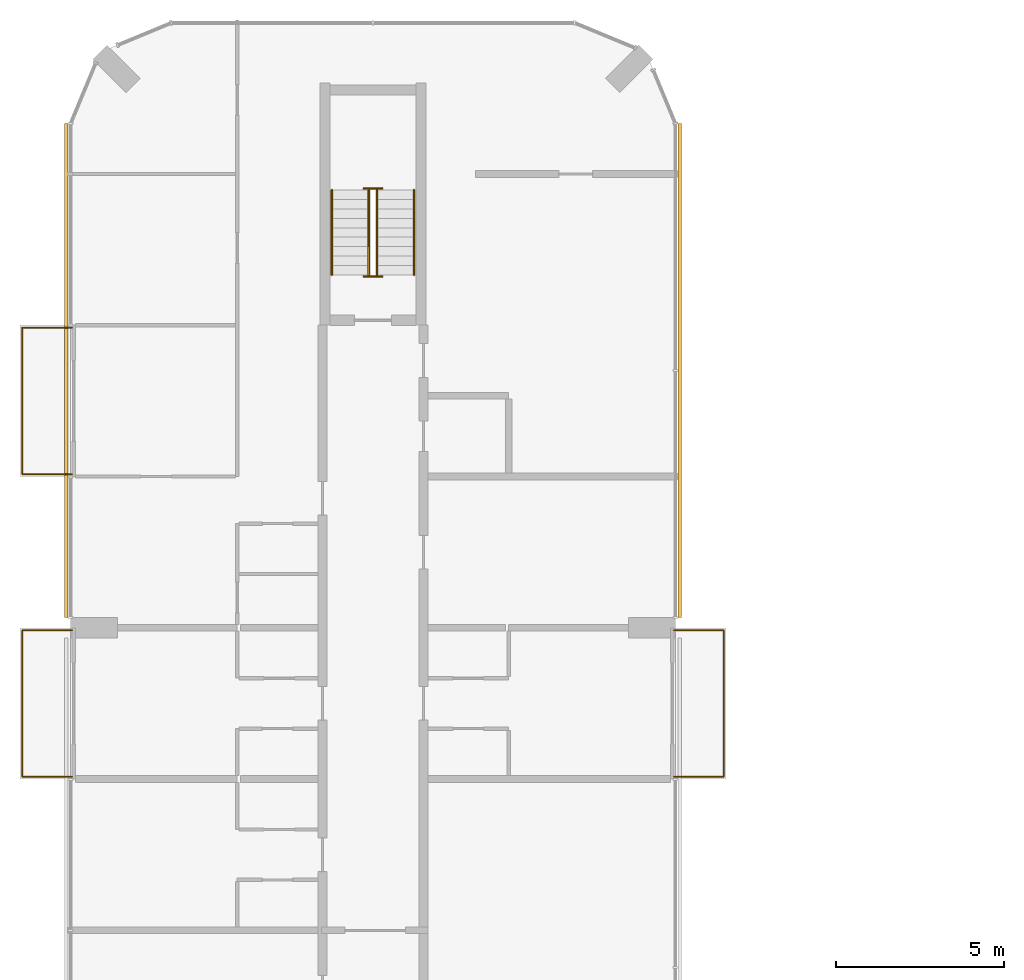
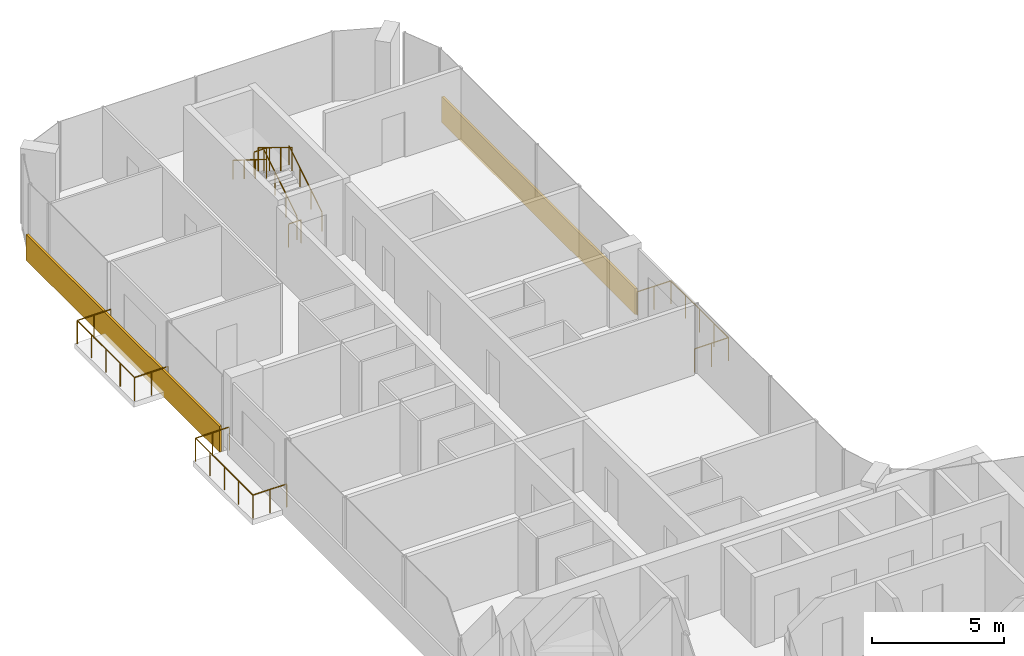
# One storey, part 15 of 15: 9 railings, 2 coverings.
"""IFC4 building model written with IfcOpenShell, lengths in metres."""

from ifc_helpers import new_model, si_unit, direction, frame, origin, origin_2d, place, context, subcontext, project, spatial, rectangle, circle, extrude, material, layer, layer_set, type_object, element, save


model = new_model("IFC4")

# Units and contexts
model_context = context("Model", 3, precision=1e-05, world=origin(), true_north=direction((0.0, 1.0)))
body_context = subcontext(model_context, "Body", "Model", "MODEL_VIEW")
ifc_project = project(units=[si_unit("LENGTHUNIT", "METRE"), si_unit("AREAUNIT", "SQUARE_METRE"), si_unit("VOLUMEUNIT", "CUBIC_METRE"), si_unit("PLANEANGLEUNIT", "RADIAN"), si_unit("MASSUNIT", "GRAM", prefix="KILO")], contexts=[model_context])

# Site, building, storey
site_placement = place(None, origin())
site = spatial("IfcSite", under=ifc_project, at=site_placement, CompositionType="ELEMENT")
building_placement = place(site_placement, origin())
building = spatial("IfcBuilding", under=site, at=building_placement, Name="Plateau Cross Towers", CompositionType="ELEMENT")
storey_placement = place(building_placement, frame((0.0, 0.0, 197.89990234375)))
storey = spatial("IfcBuildingStorey", under=building, at=storey_placement, Name="L51", CompositionType="ELEMENT", Elevation=197.89990234375)

# Railings
ifc_material_1 = material(Name="Stainless steel and toughened glass", Category="steel")
railing_type_1 = type_object("IfcRailingType", Name="Glass balustrade guard 1100", PredefinedType="GUARDRAIL", material=ifc_material_1)
for number, where, name in (
    (1, (0.050048828125, 31.570068359375, 0.0), "Guard guard1"),
    (2, (0.050048828125, 40.570068359375, 0.0), "Guard guard1"),
):
    element("IfcRailing", number, at=place(storey_placement, frame(where)), inside=storey, type_object=railing_type_1, Name=name, PredefinedType="GUARDRAIL", context=body_context, shape_type="SweptSolid", body=[
        extrude(circle(Radius=0.02392578125, at=origin_2d()), frame((0.0, 0.0, 1.076171875), z_axis=(-1.0, 0.0, 0.0), x_axis=(0.0, -1.0, 0.0)), (0.0, 0.0, 1.0), 1.47998046875),
        extrude(circle(Radius=0.02392578125, at=origin_2d()), frame((-1.47998046875, 0.0, 1.076171875), z_axis=(0.0, 1.0, 0.0), x_axis=(-1.0, 0.0, 0.0)), (0.0, 0.0, 1.0), 4.35986328125),
        extrude(circle(Radius=0.02392578125, at=origin_2d()), frame((-1.47998046875, 4.35986328125, 1.076171875), z_axis=(1.0, 0.0, 0.0), x_axis=(0.0, 1.0, 0.0)), (0.0, 0.0, 1.0), 1.47998046875),
        extrude(circle(Radius=0.02099609375, at=origin_2d()), origin(), (0.0, 0.0, 1.0), 1.052001953125),
        extrude(circle(Radius=0.02099609375, at=origin_2d()), frame((-0.739990234375, 0.0, 0.0)), (0.0, 0.0, 1.0), 1.052001953125),
        extrude(circle(Radius=0.02099609375, at=origin_2d()), frame((-1.47998046875, 0.0, 0.0)), (0.0, 0.0, 1.0), 1.052001953125),
        extrude(circle(Radius=0.02099609375, at=origin_2d()), frame((-1.47998046875, 1.08984375, 0.0)), (0.0, 0.0, 1.0), 1.052001953125),
        extrude(circle(Radius=0.02099609375, at=origin_2d()), frame((-1.47998046875, 2.179931640625, 0.0)), (0.0, 0.0, 1.0), 1.052001953125),
        extrude(circle(Radius=0.02099609375, at=origin_2d()), frame((-1.47998046875, 3.27001953125, 0.0)), (0.0, 0.0, 1.0), 1.052001953125),
        extrude(circle(Radius=0.02099609375, at=origin_2d()), frame((-1.47998046875, 4.35986328125, 0.0)), (0.0, 0.0, 1.0), 1.052001953125),
        extrude(circle(Radius=0.02099609375, at=origin_2d()), frame((-0.739990234375, 4.35986328125, 0.0)), (0.0, 0.0, 1.0), 1.052001953125),
        extrude(circle(Radius=0.02099609375, at=origin_2d()), frame((0.0, 4.35986328125, 0.0)), (0.0, 0.0, 1.0), 1.052001953125),
    ])
railing_1_placement = place(storey_placement, frame((17.949951171875, 35.929931640625, 0.0)))
element("IfcRailing", 3, at=railing_1_placement, inside=storey, type_object=railing_type_1, Name="Guard guard1", PredefinedType="GUARDRAIL", context=body_context, shape_type="SweptSolid", body=[
    extrude(circle(Radius=0.02392578125, at=origin_2d()), frame((0.0, 0.0, 1.076171875), z_axis=(1.0, 0.0, 0.0), x_axis=(0.0, 1.0, 0.0)), (0.0, 0.0, 1.0), 1.47998046875),
    extrude(circle(Radius=0.02392578125, at=origin_2d()), frame((1.47998046875, 0.0, 1.076171875), z_axis=(0.0, -1.0, 0.0), x_axis=(1.0, 0.0, 0.0)), (0.0, 0.0, 1.0), 4.35986328125),
    extrude(circle(Radius=0.02392578125, at=origin_2d()), frame((1.47998046875, -4.35986328125, 1.076171875), z_axis=(-1.0, 0.0, 0.0), x_axis=(0.0, -1.0, 0.0)), (0.0, 0.0, 1.0), 1.47998046875),
    extrude(circle(Radius=0.02099609375, at=origin_2d()), origin(), (0.0, 0.0, 1.0), 1.052001953125),
    extrude(circle(Radius=0.02099609375, at=origin_2d()), frame((0.739990234375, 0.0, 0.0)), (0.0, 0.0, 1.0), 1.052001953125),
    extrude(circle(Radius=0.02099609375, at=origin_2d()), frame((1.47998046875, 0.0, 0.0)), (0.0, 0.0, 1.0), 1.052001953125),
    extrude(circle(Radius=0.02099609375, at=origin_2d()), frame((1.47998046875, -1.08984375, 0.0)), (0.0, 0.0, 1.0), 1.052001953125),
    extrude(circle(Radius=0.02099609375, at=origin_2d()), frame((1.47998046875, -2.179931640625, 0.0)), (0.0, 0.0, 1.0), 1.052001953125),
    extrude(circle(Radius=0.02099609375, at=origin_2d()), frame((1.47998046875, -3.27001953125, 0.0)), (0.0, 0.0, 1.0), 1.052001953125),
    extrude(circle(Radius=0.02099609375, at=origin_2d()), frame((1.47998046875, -4.35986328125, 0.0)), (0.0, 0.0, 1.0), 1.052001953125),
    extrude(circle(Radius=0.02099609375, at=origin_2d()), frame((0.739990234375, -4.35986328125, 0.0)), (0.0, 0.0, 1.0), 1.052001953125),
    extrude(circle(Radius=0.02099609375, at=origin_2d()), frame((0.0, -4.35986328125, 0.0)), (0.0, 0.0, 1.0), 1.052001953125),
])
railing_type_2 = type_object("IfcRailingType", Name="RL-GUARD-1100", PredefinedType="GUARDRAIL", material=ifc_material_1)
railing_2_placement = place(storey_placement, frame((9.125, 46.5, 0.175048828125)))
element("IfcRailing", 4, at=railing_2_placement, inside=storey, type_object=railing_type_2, Name="L51 ES-N stair guard 1", PredefinedType="GUARDRAIL", context=body_context, shape_type="SweptSolid", body=[
    extrude(circle(Radius=0.02392578125, at=origin_2d()), frame((0.0, 0.0, 1.076171875), z_axis=(0.0, 0.848007534815, 0.529984170421), x_axis=(-1.0, 0.0, 0.0)), (0.0, 0.0, 1.0), 2.9716796875),
    extrude(circle(Radius=0.02099609375, at=origin_2d()), origin(), (0.0, 0.0, 1.0), 1.052001953125),
    extrude(circle(Radius=0.02099609375, at=origin_2d()), frame((0.0, 0.840087890625, 0.52490234375)), (0.0, 0.0, 1.0), 1.052001953125),
    extrude(circle(Radius=0.02099609375, at=origin_2d()), frame((0.0, 1.679931640625, 1.050048828125)), (0.0, 0.0, 1.0), 1.052001953125),
    extrude(circle(Radius=0.02099609375, at=origin_2d()), frame((0.0, 2.52001953125, 1.574951171875)), (0.0, 0.0, 1.0), 1.052001953125),
])
railing_3_placement = place(storey_placement, frame((9.27490234375, 49.070068359375, 1.75)))
element("IfcRailing", 5, at=railing_3_placement, inside=storey, type_object=railing_type_2, Name="L51 ES-N stair guard 2", PredefinedType="GUARDRAIL", context=body_context, shape_type="SweptSolid", body=[
    extrude(circle(Radius=0.02392578125, at=origin_2d()), frame((0.0, 0.0, 1.076171875), z_axis=(-1.0, 0.0, 0.0), x_axis=(0.0, -1.0, 0.0)), (0.0, 0.0, 1.0), 0.5498046875),
    extrude(circle(Radius=0.02099609375, at=origin_2d()), origin(), (0.0, 0.0, 1.0), 1.052001953125),
    extrude(circle(Radius=0.02099609375, at=origin_2d()), frame((-0.5498046875, 0.0, 0.0)), (0.0, 0.0, 1.0), 1.052001953125),
])
railing_4_placement = place(storey_placement, frame((8.875, 49.02001953125, 1.925048828125)))
element("IfcRailing", 6, at=railing_4_placement, inside=storey, type_object=railing_type_2, Name="L51 ES-N stair guard 3", PredefinedType="GUARDRAIL", context=body_context, shape_type="SweptSolid", body=[
    extrude(circle(Radius=0.02392578125, at=origin_2d()), frame((0.0, 0.0, 1.076171875), z_axis=(0.0, -0.852638500773, 0.522501279423), x_axis=(1.0, 0.0, 0.0)), (0.0, 0.0, 1.0), 3.01416015625),
    extrude(circle(Radius=0.02099609375, at=origin_2d()), origin(), (0.0, 0.0, 1.0), 1.052001953125),
    extrude(circle(Radius=0.02099609375, at=origin_2d()), frame((0.0, -0.856689453125, 0.52490234375)), (0.0, 0.0, 1.0), 1.052001953125),
    extrude(circle(Radius=0.02099609375, at=origin_2d()), frame((0.0, -1.71337890625, 1.050048828125)), (0.0, 0.0, 1.0), 1.052001953125),
    extrude(circle(Radius=0.02099609375, at=origin_2d()), frame((0.0, -2.570068359375, 1.574951171875)), (0.0, 0.0, 1.0), 1.052001953125),
])
railing_5_placement = place(storey_placement, frame((9.27490234375, 46.449951171875, 0.0)))
element("IfcRailing", 7, at=railing_5_placement, inside=storey, type_object=railing_type_2, Name="L51 ES-N stair guard 4", PredefinedType="GUARDRAIL", context=body_context, shape_type="SweptSolid", body=[
    extrude(circle(Radius=0.02392578125, at=origin_2d()), frame((0.0, 0.0, 1.076171875), z_axis=(-1.0, 0.0, 0.0), x_axis=(0.0, -1.0, 0.0)), (0.0, 0.0, 1.0), 0.5498046875),
    extrude(circle(Radius=0.02099609375, at=origin_2d()), origin(), (0.0, 0.0, 1.0), 1.052001953125),
    extrude(circle(Radius=0.02099609375, at=origin_2d()), frame((-0.5498046875, 0.0, 0.0)), (0.0, 0.0, 1.0), 1.052001953125),
])
ifc_material_2 = material(Name="Black anodised aluminium", Category="aluminium")
railing_type_3 = type_object("IfcRailingType", Name="RL-HANDRAIL-900", PredefinedType="HANDRAIL", material=ifc_material_2)
railing_6_placement = place(storey_placement, frame((10.22509765625, 46.5, 0.175048828125)))
element("IfcRailing", 8, at=railing_6_placement, inside=storey, type_object=railing_type_3, Name="L51 ES-N stair handrail 1", PredefinedType="HANDRAIL", context=body_context, shape_type="SweptSolid", body=[
    extrude(circle(Radius=0.02392578125, at=origin_2d()), frame((0.0, 0.0, 0.8759765625), z_axis=(0.0, 0.848007534815, 0.529984170421), x_axis=(-1.0, 0.0, 0.0)), (0.0, 0.0, 1.0), 2.9716796875),
    extrude(circle(Radius=0.02099609375, at=origin_2d()), origin(), (0.0, 0.0, 1.0), 0.851806640625),
    extrude(circle(Radius=0.02099609375, at=origin_2d()), frame((0.0, 0.840087890625, 0.52490234375)), (0.0, 0.0, 1.0), 0.851806640625),
    extrude(circle(Radius=0.02099609375, at=origin_2d()), frame((0.0, 1.679931640625, 1.050048828125)), (0.0, 0.0, 1.0), 0.851806640625),
    extrude(circle(Radius=0.02099609375, at=origin_2d()), frame((0.0, 2.52001953125, 1.574951171875)), (0.0, 0.0, 1.0), 0.851806640625),
])
railing_7_placement = place(storey_placement, frame((7.77490234375, 49.02001953125, 1.925048828125)))
element("IfcRailing", 9, at=railing_7_placement, inside=storey, type_object=railing_type_3, Name="L51 ES-N stair handrail 2", PredefinedType="HANDRAIL", context=body_context, shape_type="SweptSolid", body=[
    extrude(circle(Radius=0.02392578125, at=origin_2d()), frame((0.0, 0.0, 0.8759765625), z_axis=(0.0, -0.848007534815, 0.529984170421), x_axis=(1.0, 0.0, 0.0)), (0.0, 0.0, 1.0), 2.9716796875),
    extrude(circle(Radius=0.02099609375, at=origin_2d()), origin(), (0.0, 0.0, 1.0), 0.851806640625),
    extrude(circle(Radius=0.02099609375, at=origin_2d()), frame((0.0, -0.840087890625, 0.52490234375)), (0.0, 0.0, 1.0), 0.851806640625),
    extrude(circle(Radius=0.02099609375, at=origin_2d()), frame((0.0, -1.679931640625, 1.050048828125)), (0.0, 0.0, 1.0), 0.851806640625),
    extrude(circle(Radius=0.02099609375, at=origin_2d()), frame((0.0, -2.52001953125, 1.574951171875)), (0.0, 0.0, 1.0), 0.851806640625),
])

# Coverings
ifc_material_3 = material(Name="Precast concrete cladding C40/50", Category="concrete")
ifc_layer = layer(ifc_material_3, 0.10009765625)
ifc_layer_set = layer_set([ifc_layer], Name="Precast concrete cladding C40/50")
covering_type = type_object("IfcCoveringType", Name="Spandrel band cladding 100x1200", PredefinedType="CLADDING", material=ifc_layer_set)
for number, where, z_axis, x_axis, name in (
    (10, (18.1201171875, 43.64990234375, -0.25), (0.0, 0.0, 1.0), (0.0, 1.0, 0.0), "Spandrel band"),
    (11, (-0.1201171875, 43.64990234375, -0.25), (0.0, 0.0, 1.0), (0.0, -1.0, 0.0), "Spandrel band"),
):
    element("IfcCovering", number, at=place(storey_placement, frame(where, z_axis=z_axis, x_axis=x_axis)), inside=storey, type_object=covering_type, Name=name, PredefinedType="CLADDING", context=body_context, shape_type="SweptSolid", body=[
        extrude(rectangle(XDim=14.699951171875, YDim=0.10009765625, at=origin_2d()), origin(), (0.0, 0.0, 1.0), 1.199951171875),
    ])

save(model, "model.ifc")
